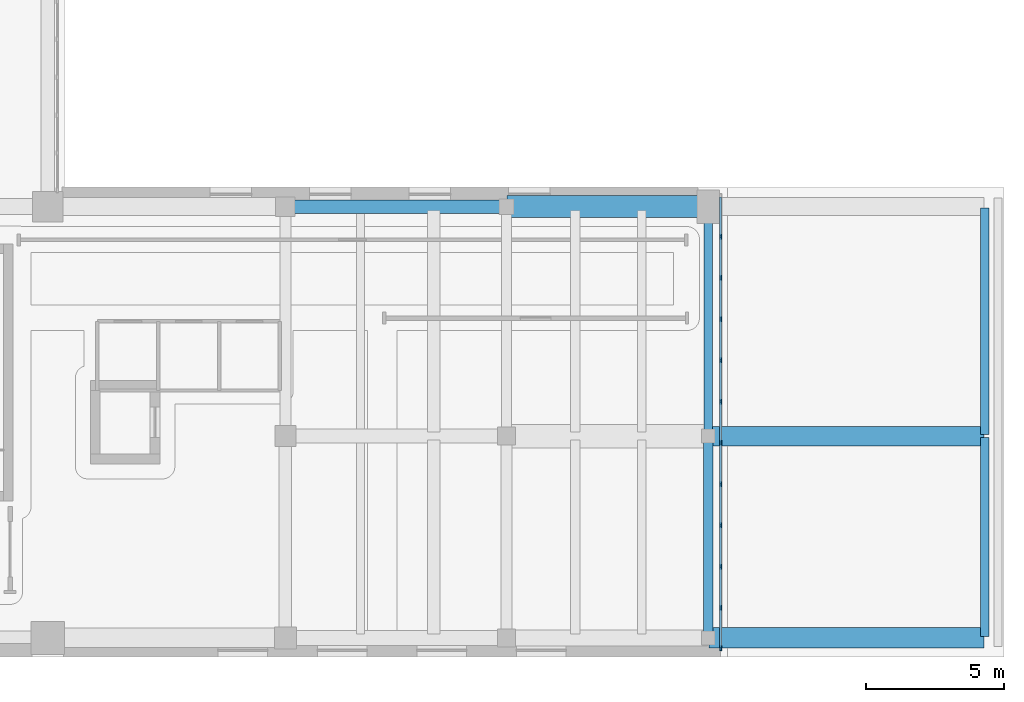
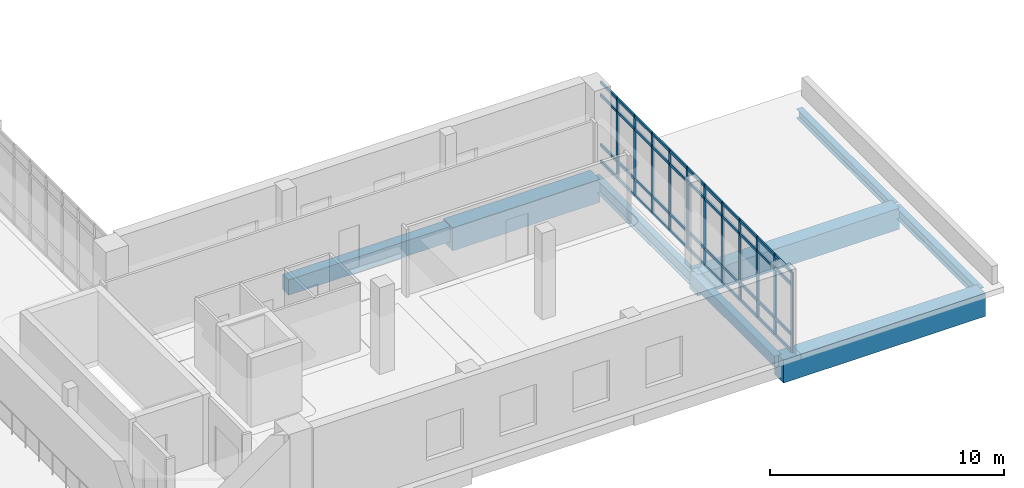
# One storey, part 32 of 75: 55 members, 8 beams, 1 element without a shape of its own.
"""IFC4 building model written with IfcOpenShell, lengths in metres."""

from ifc_helpers import new_model, si_unit, direction, frame, origin, origin_2d, place, context, subcontext, project, spatial, rectangle, i_section, extrude, material, material_profile, profile_set, type_object, element, aggregate, save


model = new_model("IFC4")

# Units and contexts
model_context = context("Model", 3, precision=1e-05, world=origin(), true_north=direction((0.0, 1.0)))
body_context = subcontext(model_context, "Body", "Model", "MODEL_VIEW")
ifc_project = project(units=[si_unit("LENGTHUNIT", "METRE"), si_unit("AREAUNIT", "SQUARE_METRE"), si_unit("VOLUMEUNIT", "CUBIC_METRE"), si_unit("PLANEANGLEUNIT", "RADIAN"), si_unit("MASSUNIT", "GRAM", prefix="KILO")], contexts=[model_context])

# Site, building, storey
site_placement = place(None, origin())
site = spatial("IfcSite", under=ifc_project, at=site_placement, CompositionType="ELEMENT")
building_placement = place(site_placement, origin())
building = spatial("IfcBuilding", under=site, at=building_placement, Name="Soyqirgoq Riverine Aquarium", CompositionType="ELEMENT")
storey_placement = place(building_placement, frame((0.0, 0.0, 10.199951171875)))
storey = spatial("IfcBuildingStorey", under=building, at=storey_placement, Name="L03", CompositionType="ELEMENT", Elevation=10.199951171875)

# Curtain wall, members
ifc_material_1 = material(Name="Anodised aluminium thermally broken gallery curtain wall", Category="aluminium")
curtain_wall_type = type_object("IfcCurtainWallType", Name="CW_Pavilion_Ribbon", PredefinedType="NOTDEFINED", material=ifc_material_1)
curtain_wall_placement = place(storey_placement, origin())
curtain_wall = element("IfcCurtainWall", 1, at=curtain_wall_placement, inside=storey, type_object=curtain_wall_type, Name="V6 L03 Curtain Wall 120", PredefinedType="NOTDEFINED")
ifc_material_2 = material(Name="Anodised aluminium 6063-T6", Category="aluminium")
ifc_material_profile_1 = material_profile(ifc_material_2, rectangle(XDim=0.06494140625, YDim=0.179931640625, at=origin_2d()), Name="ALU-M 65x180")
ifc_profile_set_1 = profile_set([ifc_material_profile_1], Name="Anodised aluminium 6063-T6")
member_type_1 = type_object("IfcMemberType", Name="CWMullion_65x180", PredefinedType="MULLION", material=ifc_profile_set_1)
member_1_placement = place(storey_placement, frame((153.75, 16.71728515625, 0.0), z_axis=(0.0, 0.0, 1.0), x_axis=(1.0, 0.0, 0.0)))
member_1 = element("IfcMember", 2, at=member_1_placement, type_object=member_type_1, Name="CW-05 mullion 2", PredefinedType="MULLION", context=body_context, shape_type="SweptSolid", body=[
    extrude(rectangle(XDim=0.06494140625, YDim=0.179931640625, at=origin_2d()), origin(), (0.0, 0.0, 1.0), 4.18994140625),
])
member_2_placement = place(storey_placement, frame((153.75, 15.224609375, 0.0), z_axis=(0.0, 0.0, 1.0), x_axis=(1.0, 0.0, 0.0)))
member_2 = element("IfcMember", 3, at=member_2_placement, type_object=member_type_1, Name="CW-05 mullion 3", PredefinedType="MULLION", context=body_context, shape_type="SweptSolid", body=[
    extrude(rectangle(XDim=0.06494140625, YDim=0.179931640625, at=origin_2d()), origin(), (0.0, 0.0, 1.0), 4.18994140625),
])
member_3_placement = place(storey_placement, frame((153.75, 13.73193359375, 0.0), z_axis=(0.0, 0.0, 1.0), x_axis=(1.0, 0.0, 0.0)))
member_3 = element("IfcMember", 4, at=member_3_placement, type_object=member_type_1, Name="CW-05 mullion 4", PredefinedType="MULLION", context=body_context, shape_type="SweptSolid", body=[
    extrude(rectangle(XDim=0.06494140625, YDim=0.179931640625, at=origin_2d()), origin(), (0.0, 0.0, 1.0), 4.18994140625),
])
member_4_placement = place(storey_placement, frame((153.75, 12.239013671875, 0.0), z_axis=(0.0, 0.0, 1.0), x_axis=(1.0, 0.0, 0.0)))
member_4 = element("IfcMember", 5, at=member_4_placement, type_object=member_type_1, Name="CW-05 mullion 5", PredefinedType="MULLION", context=body_context, shape_type="SweptSolid", body=[
    extrude(rectangle(XDim=0.06494140625, YDim=0.179931640625, at=origin_2d()), origin(), (0.0, 0.0, 1.0), 4.18994140625),
])
member_5_placement = place(storey_placement, frame((153.75, 10.746337890625, 0.0), z_axis=(0.0, 0.0, 1.0), x_axis=(1.0, 0.0, 0.0)))
member_5 = element("IfcMember", 6, at=member_5_placement, type_object=member_type_1, Name="CW-05 mullion 6", PredefinedType="MULLION", context=body_context, shape_type="SweptSolid", body=[
    extrude(rectangle(XDim=0.06494140625, YDim=0.179931640625, at=origin_2d()), origin(), (0.0, 0.0, 1.0), 4.18994140625),
])
member_6_placement = place(storey_placement, frame((153.75, 9.253662109375, 0.0), z_axis=(0.0, 0.0, 1.0), x_axis=(1.0, 0.0, 0.0)))
member_6 = element("IfcMember", 7, at=member_6_placement, type_object=member_type_1, Name="CW-05 mullion 7", PredefinedType="MULLION", context=body_context, shape_type="SweptSolid", body=[
    extrude(rectangle(XDim=0.06494140625, YDim=0.179931640625, at=origin_2d()), origin(), (0.0, 0.0, 1.0), 4.18994140625),
])
member_7_placement = place(storey_placement, frame((153.75, 7.760986328125, 0.0), z_axis=(0.0, 0.0, 1.0), x_axis=(1.0, 0.0, 0.0)))
member_7 = element("IfcMember", 8, at=member_7_placement, type_object=member_type_1, Name="CW-05 mullion 8", PredefinedType="MULLION", context=body_context, shape_type="SweptSolid", body=[
    extrude(rectangle(XDim=0.06494140625, YDim=0.179931640625, at=origin_2d()), origin(), (0.0, 0.0, 1.0), 4.18994140625),
])
member_8_placement = place(storey_placement, frame((153.75, 6.26806640625, 0.0), z_axis=(0.0, 0.0, 1.0), x_axis=(1.0, 0.0, 0.0)))
member_8 = element("IfcMember", 9, at=member_8_placement, type_object=member_type_1, Name="CW-05 mullion 9", PredefinedType="MULLION", context=body_context, shape_type="SweptSolid", body=[
    extrude(rectangle(XDim=0.06494140625, YDim=0.179931640625, at=origin_2d()), origin(), (0.0, 0.0, 1.0), 4.18994140625),
])
member_9_placement = place(storey_placement, frame((153.75, 4.775390625, 0.0), z_axis=(0.0, 0.0, 1.0), x_axis=(1.0, 0.0, 0.0)))
member_9 = element("IfcMember", 10, at=member_9_placement, type_object=member_type_1, Name="CW-05 mullion 10", PredefinedType="MULLION", context=body_context, shape_type="SweptSolid", body=[
    extrude(rectangle(XDim=0.06494140625, YDim=0.179931640625, at=origin_2d()), origin(), (0.0, 0.0, 1.0), 4.18994140625),
])
member_10_placement = place(storey_placement, frame((153.75, 3.28271484375, 0.0), z_axis=(0.0, 0.0, 1.0), x_axis=(1.0, 0.0, 0.0)))
member_10 = element("IfcMember", 11, at=member_10_placement, type_object=member_type_1, Name="CW-05 mullion 11", PredefinedType="MULLION", context=body_context, shape_type="SweptSolid", body=[
    extrude(rectangle(XDim=0.06494140625, YDim=0.179931640625, at=origin_2d()), origin(), (0.0, 0.0, 1.0), 4.18994140625),
])
member_11_placement = place(storey_placement, frame((153.75, 1.822509765625, 0.0), z_axis=(0.0, 0.0, 1.0), x_axis=(1.0, 0.0, 0.0)))
member_11 = element("IfcMember", 12, at=member_11_placement, type_object=member_type_1, Name="CW-05 mullion 12", PredefinedType="MULLION", context=body_context, shape_type="SweptSolid", body=[
    extrude(rectangle(XDim=0.06494140625, YDim=0.179931640625, at=origin_2d()), origin(), (0.0, 0.0, 1.0), 4.18994140625),
])
ifc_material_3 = material(Name="Anodised aluminium 6063-T6", Category="aluminium")
ifc_material_profile_2 = material_profile(ifc_material_3, rectangle(XDim=0.074951171875, YDim=0.14990234375, at=origin_2d()), Name="ALU-T 75x150")
ifc_profile_set_2 = profile_set([ifc_material_profile_2], Name="Anodised aluminium 6063-T6")
member_type_2 = type_object("IfcMemberType", Name="CWTransom_75x150", PredefinedType="USERDEFINED", material=ifc_profile_set_2)
member_12_placement = place(storey_placement, frame((153.75, 18.14501953125, 0.03759765625), z_axis=(0.0, -1.0, 0.0), x_axis=(1.0, 0.0, 0.0)))
member_12 = element("IfcMember", 13, at=member_12_placement, type_object=member_type_2, Name="CW-05 transom 1.1", ObjectType="TRANSOM", PredefinedType="USERDEFINED", context=body_context, shape_type="SweptSolid", body=[
    extrude(rectangle(XDim=0.074951171875, YDim=0.14990234375, at=origin_2d()), origin(), (0.0, 0.0, 1.0), 1.395263671875),
])
member_13_placement = place(storey_placement, frame((153.75, 18.14501953125, 0.900146484375), z_axis=(0.0, -1.0, 0.0), x_axis=(1.0, 0.0, 0.0)))
member_13 = element("IfcMember", 14, at=member_13_placement, type_object=member_type_2, Name="CW-05 transom 1.2", ObjectType="TRANSOM", PredefinedType="USERDEFINED", context=body_context, shape_type="SweptSolid", body=[
    extrude(rectangle(XDim=0.074951171875, YDim=0.14990234375, at=origin_2d()), origin(), (0.0, 0.0, 1.0), 1.395263671875),
])
member_14_placement = place(storey_placement, frame((153.75, 18.14501953125, 3.489990234375), z_axis=(0.0, -1.0, 0.0), x_axis=(1.0, 0.0, 0.0)))
member_14 = element("IfcMember", 15, at=member_14_placement, type_object=member_type_2, Name="CW-05 transom 1.3", ObjectType="TRANSOM", PredefinedType="USERDEFINED", context=body_context, shape_type="SweptSolid", body=[
    extrude(rectangle(XDim=0.074951171875, YDim=0.14990234375, at=origin_2d()), origin(), (0.0, 0.0, 1.0), 1.395263671875),
])
member_15_placement = place(storey_placement, frame((153.75, 18.14501953125, 4.152587890625), z_axis=(0.0, -1.0, 0.0), x_axis=(1.0, 0.0, 0.0)))
member_15 = element("IfcMember", 16, at=member_15_placement, type_object=member_type_2, Name="CW-05 transom 1.4", ObjectType="TRANSOM", PredefinedType="USERDEFINED", context=body_context, shape_type="SweptSolid", body=[
    extrude(rectangle(XDim=0.074951171875, YDim=0.14990234375, at=origin_2d()), origin(), (0.0, 0.0, 1.0), 1.395263671875),
])
member_16_placement = place(storey_placement, frame((153.75, 16.684814453125, 0.03759765625), z_axis=(0.0, -1.0, 0.0), x_axis=(1.0, 0.0, 0.0)))
member_16 = element("IfcMember", 17, at=member_16_placement, type_object=member_type_2, Name="CW-05 transom 2.1", ObjectType="TRANSOM", PredefinedType="USERDEFINED", context=body_context, shape_type="SweptSolid", body=[
    extrude(rectangle(XDim=0.074951171875, YDim=0.14990234375, at=origin_2d()), origin(), (0.0, 0.0, 1.0), 1.427734375),
])
member_17_placement = place(storey_placement, frame((153.75, 16.684814453125, 0.900146484375), z_axis=(0.0, -1.0, 0.0), x_axis=(1.0, 0.0, 0.0)))
member_17 = element("IfcMember", 18, at=member_17_placement, type_object=member_type_2, Name="CW-05 transom 2.2", ObjectType="TRANSOM", PredefinedType="USERDEFINED", context=body_context, shape_type="SweptSolid", body=[
    extrude(rectangle(XDim=0.074951171875, YDim=0.14990234375, at=origin_2d()), origin(), (0.0, 0.0, 1.0), 1.427734375),
])
member_18_placement = place(storey_placement, frame((153.75, 16.684814453125, 3.489990234375), z_axis=(0.0, -1.0, 0.0), x_axis=(1.0, 0.0, 0.0)))
member_18 = element("IfcMember", 19, at=member_18_placement, type_object=member_type_2, Name="CW-05 transom 2.3", ObjectType="TRANSOM", PredefinedType="USERDEFINED", context=body_context, shape_type="SweptSolid", body=[
    extrude(rectangle(XDim=0.074951171875, YDim=0.14990234375, at=origin_2d()), origin(), (0.0, 0.0, 1.0), 1.427734375),
])
member_19_placement = place(storey_placement, frame((153.75, 16.684814453125, 4.152587890625), z_axis=(0.0, -1.0, 0.0), x_axis=(1.0, 0.0, 0.0)))
member_19 = element("IfcMember", 20, at=member_19_placement, type_object=member_type_2, Name="CW-05 transom 2.4", ObjectType="TRANSOM", PredefinedType="USERDEFINED", context=body_context, shape_type="SweptSolid", body=[
    extrude(rectangle(XDim=0.074951171875, YDim=0.14990234375, at=origin_2d()), origin(), (0.0, 0.0, 1.0), 1.427734375),
])
member_20_placement = place(storey_placement, frame((153.75, 15.192138671875, 0.03759765625), z_axis=(0.0, -1.0, 0.0), x_axis=(1.0, 0.0, 0.0)))
member_20 = element("IfcMember", 21, at=member_20_placement, type_object=member_type_2, Name="CW-05 transom 3.1", ObjectType="TRANSOM", PredefinedType="USERDEFINED", context=body_context, shape_type="SweptSolid", body=[
    extrude(rectangle(XDim=0.074951171875, YDim=0.14990234375, at=origin_2d()), origin(), (0.0, 0.0, 1.0), 1.427734375),
])
member_21_placement = place(storey_placement, frame((153.75, 15.192138671875, 0.900146484375), z_axis=(0.0, -1.0, 0.0), x_axis=(1.0, 0.0, 0.0)))
member_21 = element("IfcMember", 22, at=member_21_placement, type_object=member_type_2, Name="CW-05 transom 3.2", ObjectType="TRANSOM", PredefinedType="USERDEFINED", context=body_context, shape_type="SweptSolid", body=[
    extrude(rectangle(XDim=0.074951171875, YDim=0.14990234375, at=origin_2d()), origin(), (0.0, 0.0, 1.0), 1.427734375),
])
member_22_placement = place(storey_placement, frame((153.75, 15.192138671875, 3.489990234375), z_axis=(0.0, -1.0, 0.0), x_axis=(1.0, 0.0, 0.0)))
member_22 = element("IfcMember", 23, at=member_22_placement, type_object=member_type_2, Name="CW-05 transom 3.3", ObjectType="TRANSOM", PredefinedType="USERDEFINED", context=body_context, shape_type="SweptSolid", body=[
    extrude(rectangle(XDim=0.074951171875, YDim=0.14990234375, at=origin_2d()), origin(), (0.0, 0.0, 1.0), 1.427734375),
])
member_23_placement = place(storey_placement, frame((153.75, 15.192138671875, 4.152587890625), z_axis=(0.0, -1.0, 0.0), x_axis=(1.0, 0.0, 0.0)))
member_23 = element("IfcMember", 24, at=member_23_placement, type_object=member_type_2, Name="CW-05 transom 3.4", ObjectType="TRANSOM", PredefinedType="USERDEFINED", context=body_context, shape_type="SweptSolid", body=[
    extrude(rectangle(XDim=0.074951171875, YDim=0.14990234375, at=origin_2d()), origin(), (0.0, 0.0, 1.0), 1.427734375),
])
member_24_placement = place(storey_placement, frame((153.75, 13.69921875, 0.03759765625), z_axis=(0.0, -1.0, 0.0), x_axis=(1.0, 0.0, 0.0)))
member_24 = element("IfcMember", 25, at=member_24_placement, type_object=member_type_2, Name="CW-05 transom 4.1", ObjectType="TRANSOM", PredefinedType="USERDEFINED", context=body_context, shape_type="SweptSolid", body=[
    extrude(rectangle(XDim=0.074951171875, YDim=0.14990234375, at=origin_2d()), origin(), (0.0, 0.0, 1.0), 1.427734375),
])
member_25_placement = place(storey_placement, frame((153.75, 13.69921875, 0.900146484375), z_axis=(0.0, -1.0, 0.0), x_axis=(1.0, 0.0, 0.0)))
member_25 = element("IfcMember", 26, at=member_25_placement, type_object=member_type_2, Name="CW-05 transom 4.2", ObjectType="TRANSOM", PredefinedType="USERDEFINED", context=body_context, shape_type="SweptSolid", body=[
    extrude(rectangle(XDim=0.074951171875, YDim=0.14990234375, at=origin_2d()), origin(), (0.0, 0.0, 1.0), 1.427734375),
])
member_26_placement = place(storey_placement, frame((153.75, 13.69921875, 3.489990234375), z_axis=(0.0, -1.0, 0.0), x_axis=(1.0, 0.0, 0.0)))
member_26 = element("IfcMember", 27, at=member_26_placement, type_object=member_type_2, Name="CW-05 transom 4.3", ObjectType="TRANSOM", PredefinedType="USERDEFINED", context=body_context, shape_type="SweptSolid", body=[
    extrude(rectangle(XDim=0.074951171875, YDim=0.14990234375, at=origin_2d()), origin(), (0.0, 0.0, 1.0), 1.427734375),
])
member_27_placement = place(storey_placement, frame((153.75, 13.69921875, 4.152587890625), z_axis=(0.0, -1.0, 0.0), x_axis=(1.0, 0.0, 0.0)))
member_27 = element("IfcMember", 28, at=member_27_placement, type_object=member_type_2, Name="CW-05 transom 4.4", ObjectType="TRANSOM", PredefinedType="USERDEFINED", context=body_context, shape_type="SweptSolid", body=[
    extrude(rectangle(XDim=0.074951171875, YDim=0.14990234375, at=origin_2d()), origin(), (0.0, 0.0, 1.0), 1.427734375),
])
member_28_placement = place(storey_placement, frame((153.75, 12.20654296875, 0.03759765625), z_axis=(0.0, -1.0, 0.0), x_axis=(1.0, 0.0, 0.0)))
member_28 = element("IfcMember", 29, at=member_28_placement, type_object=member_type_2, Name="CW-05 transom 5.1", ObjectType="TRANSOM", PredefinedType="USERDEFINED", context=body_context, shape_type="SweptSolid", body=[
    extrude(rectangle(XDim=0.074951171875, YDim=0.14990234375, at=origin_2d()), origin(), (0.0, 0.0, 1.0), 1.427734375),
])
member_29_placement = place(storey_placement, frame((153.75, 12.20654296875, 0.900146484375), z_axis=(0.0, -1.0, 0.0), x_axis=(1.0, 0.0, 0.0)))
member_29 = element("IfcMember", 30, at=member_29_placement, type_object=member_type_2, Name="CW-05 transom 5.2", ObjectType="TRANSOM", PredefinedType="USERDEFINED", context=body_context, shape_type="SweptSolid", body=[
    extrude(rectangle(XDim=0.074951171875, YDim=0.14990234375, at=origin_2d()), origin(), (0.0, 0.0, 1.0), 1.427734375),
])
member_30_placement = place(storey_placement, frame((153.75, 12.20654296875, 3.489990234375), z_axis=(0.0, -1.0, 0.0), x_axis=(1.0, 0.0, 0.0)))
member_30 = element("IfcMember", 31, at=member_30_placement, type_object=member_type_2, Name="CW-05 transom 5.3", ObjectType="TRANSOM", PredefinedType="USERDEFINED", context=body_context, shape_type="SweptSolid", body=[
    extrude(rectangle(XDim=0.074951171875, YDim=0.14990234375, at=origin_2d()), origin(), (0.0, 0.0, 1.0), 1.427734375),
])
member_31_placement = place(storey_placement, frame((153.75, 12.20654296875, 4.152587890625), z_axis=(0.0, -1.0, 0.0), x_axis=(1.0, 0.0, 0.0)))
member_31 = element("IfcMember", 32, at=member_31_placement, type_object=member_type_2, Name="CW-05 transom 5.4", ObjectType="TRANSOM", PredefinedType="USERDEFINED", context=body_context, shape_type="SweptSolid", body=[
    extrude(rectangle(XDim=0.074951171875, YDim=0.14990234375, at=origin_2d()), origin(), (0.0, 0.0, 1.0), 1.427734375),
])
member_32_placement = place(storey_placement, frame((153.75, 10.7138671875, 0.03759765625), z_axis=(0.0, -1.0, 0.0), x_axis=(1.0, 0.0, 0.0)))
member_32 = element("IfcMember", 33, at=member_32_placement, type_object=member_type_2, Name="CW-05 transom 6.1", ObjectType="TRANSOM", PredefinedType="USERDEFINED", context=body_context, shape_type="SweptSolid", body=[
    extrude(rectangle(XDim=0.074951171875, YDim=0.14990234375, at=origin_2d()), origin(), (0.0, 0.0, 1.0), 1.427734375),
])
member_33_placement = place(storey_placement, frame((153.75, 10.7138671875, 0.900146484375), z_axis=(0.0, -1.0, 0.0), x_axis=(1.0, 0.0, 0.0)))
member_33 = element("IfcMember", 34, at=member_33_placement, type_object=member_type_2, Name="CW-05 transom 6.2", ObjectType="TRANSOM", PredefinedType="USERDEFINED", context=body_context, shape_type="SweptSolid", body=[
    extrude(rectangle(XDim=0.074951171875, YDim=0.14990234375, at=origin_2d()), origin(), (0.0, 0.0, 1.0), 1.427734375),
])
member_34_placement = place(storey_placement, frame((153.75, 10.7138671875, 3.489990234375), z_axis=(0.0, -1.0, 0.0), x_axis=(1.0, 0.0, 0.0)))
member_34 = element("IfcMember", 35, at=member_34_placement, type_object=member_type_2, Name="CW-05 transom 6.3", ObjectType="TRANSOM", PredefinedType="USERDEFINED", context=body_context, shape_type="SweptSolid", body=[
    extrude(rectangle(XDim=0.074951171875, YDim=0.14990234375, at=origin_2d()), origin(), (0.0, 0.0, 1.0), 1.427734375),
])
member_35_placement = place(storey_placement, frame((153.75, 10.7138671875, 4.152587890625), z_axis=(0.0, -1.0, 0.0), x_axis=(1.0, 0.0, 0.0)))
member_35 = element("IfcMember", 36, at=member_35_placement, type_object=member_type_2, Name="CW-05 transom 6.4", ObjectType="TRANSOM", PredefinedType="USERDEFINED", context=body_context, shape_type="SweptSolid", body=[
    extrude(rectangle(XDim=0.074951171875, YDim=0.14990234375, at=origin_2d()), origin(), (0.0, 0.0, 1.0), 1.427734375),
])
member_36_placement = place(storey_placement, frame((153.75, 9.22119140625, 0.03759765625), z_axis=(0.0, -1.0, 0.0), x_axis=(1.0, 0.0, 0.0)))
member_36 = element("IfcMember", 37, at=member_36_placement, type_object=member_type_2, Name="CW-05 transom 7.1", ObjectType="TRANSOM", PredefinedType="USERDEFINED", context=body_context, shape_type="SweptSolid", body=[
    extrude(rectangle(XDim=0.074951171875, YDim=0.14990234375, at=origin_2d()), origin(), (0.0, 0.0, 1.0), 1.427734375),
])
member_37_placement = place(storey_placement, frame((153.75, 9.22119140625, 0.900146484375), z_axis=(0.0, -1.0, 0.0), x_axis=(1.0, 0.0, 0.0)))
member_37 = element("IfcMember", 38, at=member_37_placement, type_object=member_type_2, Name="CW-05 transom 7.2", ObjectType="TRANSOM", PredefinedType="USERDEFINED", context=body_context, shape_type="SweptSolid", body=[
    extrude(rectangle(XDim=0.074951171875, YDim=0.14990234375, at=origin_2d()), origin(), (0.0, 0.0, 1.0), 1.427734375),
])
member_38_placement = place(storey_placement, frame((153.75, 9.22119140625, 3.489990234375), z_axis=(0.0, -1.0, 0.0), x_axis=(1.0, 0.0, 0.0)))
member_38 = element("IfcMember", 39, at=member_38_placement, type_object=member_type_2, Name="CW-05 transom 7.3", ObjectType="TRANSOM", PredefinedType="USERDEFINED", context=body_context, shape_type="SweptSolid", body=[
    extrude(rectangle(XDim=0.074951171875, YDim=0.14990234375, at=origin_2d()), origin(), (0.0, 0.0, 1.0), 1.427734375),
])
member_39_placement = place(storey_placement, frame((153.75, 9.22119140625, 4.152587890625), z_axis=(0.0, -1.0, 0.0), x_axis=(1.0, 0.0, 0.0)))
member_39 = element("IfcMember", 40, at=member_39_placement, type_object=member_type_2, Name="CW-05 transom 7.4", ObjectType="TRANSOM", PredefinedType="USERDEFINED", context=body_context, shape_type="SweptSolid", body=[
    extrude(rectangle(XDim=0.074951171875, YDim=0.14990234375, at=origin_2d()), origin(), (0.0, 0.0, 1.0), 1.427734375),
])
member_40_placement = place(storey_placement, frame((153.75, 7.728515625, 0.03759765625), z_axis=(0.0, -1.0, 0.0), x_axis=(1.0, 0.0, 0.0)))
member_40 = element("IfcMember", 41, at=member_40_placement, type_object=member_type_2, Name="CW-05 transom 8.1", ObjectType="TRANSOM", PredefinedType="USERDEFINED", context=body_context, shape_type="SweptSolid", body=[
    extrude(rectangle(XDim=0.074951171875, YDim=0.14990234375, at=origin_2d()), origin(), (0.0, 0.0, 1.0), 1.427734375),
])
member_41_placement = place(storey_placement, frame((153.75, 7.728515625, 0.900146484375), z_axis=(0.0, -1.0, 0.0), x_axis=(1.0, 0.0, 0.0)))
member_41 = element("IfcMember", 42, at=member_41_placement, type_object=member_type_2, Name="CW-05 transom 8.2", ObjectType="TRANSOM", PredefinedType="USERDEFINED", context=body_context, shape_type="SweptSolid", body=[
    extrude(rectangle(XDim=0.074951171875, YDim=0.14990234375, at=origin_2d()), origin(), (0.0, 0.0, 1.0), 1.427734375),
])
member_42_placement = place(storey_placement, frame((153.75, 7.728515625, 3.489990234375), z_axis=(0.0, -1.0, 0.0), x_axis=(1.0, 0.0, 0.0)))
member_42 = element("IfcMember", 43, at=member_42_placement, type_object=member_type_2, Name="CW-05 transom 8.3", ObjectType="TRANSOM", PredefinedType="USERDEFINED", context=body_context, shape_type="SweptSolid", body=[
    extrude(rectangle(XDim=0.074951171875, YDim=0.14990234375, at=origin_2d()), origin(), (0.0, 0.0, 1.0), 1.427734375),
])
member_43_placement = place(storey_placement, frame((153.75, 7.728515625, 4.152587890625), z_axis=(0.0, -1.0, 0.0), x_axis=(1.0, 0.0, 0.0)))
member_43 = element("IfcMember", 44, at=member_43_placement, type_object=member_type_2, Name="CW-05 transom 8.4", ObjectType="TRANSOM", PredefinedType="USERDEFINED", context=body_context, shape_type="SweptSolid", body=[
    extrude(rectangle(XDim=0.074951171875, YDim=0.14990234375, at=origin_2d()), origin(), (0.0, 0.0, 1.0), 1.427734375),
])
member_44_placement = place(storey_placement, frame((153.75, 6.235595703125, 0.03759765625), z_axis=(0.0, -1.0, 0.0), x_axis=(1.0, 0.0, 0.0)))
member_44 = element("IfcMember", 45, at=member_44_placement, type_object=member_type_2, Name="CW-05 transom 9.1", ObjectType="TRANSOM", PredefinedType="USERDEFINED", context=body_context, shape_type="SweptSolid", body=[
    extrude(rectangle(XDim=0.074951171875, YDim=0.14990234375, at=origin_2d()), origin(), (0.0, 0.0, 1.0), 1.427734375),
])
member_45_placement = place(storey_placement, frame((153.75, 6.235595703125, 0.900146484375), z_axis=(0.0, -1.0, 0.0), x_axis=(1.0, 0.0, 0.0)))
member_45 = element("IfcMember", 46, at=member_45_placement, type_object=member_type_2, Name="CW-05 transom 9.2", ObjectType="TRANSOM", PredefinedType="USERDEFINED", context=body_context, shape_type="SweptSolid", body=[
    extrude(rectangle(XDim=0.074951171875, YDim=0.14990234375, at=origin_2d()), origin(), (0.0, 0.0, 1.0), 1.427734375),
])
member_46_placement = place(storey_placement, frame((153.75, 6.235595703125, 3.489990234375), z_axis=(0.0, -1.0, 0.0), x_axis=(1.0, 0.0, 0.0)))
member_46 = element("IfcMember", 47, at=member_46_placement, type_object=member_type_2, Name="CW-05 transom 9.3", ObjectType="TRANSOM", PredefinedType="USERDEFINED", context=body_context, shape_type="SweptSolid", body=[
    extrude(rectangle(XDim=0.074951171875, YDim=0.14990234375, at=origin_2d()), origin(), (0.0, 0.0, 1.0), 1.427734375),
])
member_47_placement = place(storey_placement, frame((153.75, 6.235595703125, 4.152587890625), z_axis=(0.0, -1.0, 0.0), x_axis=(1.0, 0.0, 0.0)))
member_47 = element("IfcMember", 48, at=member_47_placement, type_object=member_type_2, Name="CW-05 transom 9.4", ObjectType="TRANSOM", PredefinedType="USERDEFINED", context=body_context, shape_type="SweptSolid", body=[
    extrude(rectangle(XDim=0.074951171875, YDim=0.14990234375, at=origin_2d()), origin(), (0.0, 0.0, 1.0), 1.427734375),
])
member_48_placement = place(storey_placement, frame((153.75, 4.742919921875, 0.03759765625), z_axis=(0.0, -1.0, 0.0), x_axis=(1.0, 0.0, 0.0)))
member_48 = element("IfcMember", 49, at=member_48_placement, type_object=member_type_2, Name="CW-05 transom 10.1", ObjectType="TRANSOM", PredefinedType="USERDEFINED", context=body_context, shape_type="SweptSolid", body=[
    extrude(rectangle(XDim=0.074951171875, YDim=0.14990234375, at=origin_2d()), origin(), (0.0, 0.0, 1.0), 1.427734375),
])
member_49_placement = place(storey_placement, frame((153.75, 4.742919921875, 0.900146484375), z_axis=(0.0, -1.0, 0.0), x_axis=(1.0, 0.0, 0.0)))
member_49 = element("IfcMember", 50, at=member_49_placement, type_object=member_type_2, Name="CW-05 transom 10.2", ObjectType="TRANSOM", PredefinedType="USERDEFINED", context=body_context, shape_type="SweptSolid", body=[
    extrude(rectangle(XDim=0.074951171875, YDim=0.14990234375, at=origin_2d()), origin(), (0.0, 0.0, 1.0), 1.427734375),
])
member_50_placement = place(storey_placement, frame((153.75, 4.742919921875, 3.489990234375), z_axis=(0.0, -1.0, 0.0), x_axis=(1.0, 0.0, 0.0)))
member_50 = element("IfcMember", 51, at=member_50_placement, type_object=member_type_2, Name="CW-05 transom 10.3", ObjectType="TRANSOM", PredefinedType="USERDEFINED", context=body_context, shape_type="SweptSolid", body=[
    extrude(rectangle(XDim=0.074951171875, YDim=0.14990234375, at=origin_2d()), origin(), (0.0, 0.0, 1.0), 1.427734375),
])
member_51_placement = place(storey_placement, frame((153.75, 4.742919921875, 4.152587890625), z_axis=(0.0, -1.0, 0.0), x_axis=(1.0, 0.0, 0.0)))
member_51 = element("IfcMember", 52, at=member_51_placement, type_object=member_type_2, Name="CW-05 transom 10.4", ObjectType="TRANSOM", PredefinedType="USERDEFINED", context=body_context, shape_type="SweptSolid", body=[
    extrude(rectangle(XDim=0.074951171875, YDim=0.14990234375, at=origin_2d()), origin(), (0.0, 0.0, 1.0), 1.427734375),
])
member_52_placement = place(storey_placement, frame((153.75, 3.250244140625, 0.03759765625), z_axis=(0.0, -1.0, 0.0), x_axis=(1.0, 0.0, 0.0)))
member_52 = element("IfcMember", 53, at=member_52_placement, type_object=member_type_2, Name="CW-05 transom 11.1", ObjectType="TRANSOM", PredefinedType="USERDEFINED", context=body_context, shape_type="SweptSolid", body=[
    extrude(rectangle(XDim=0.074951171875, YDim=0.14990234375, at=origin_2d()), origin(), (0.0, 0.0, 1.0), 1.395263671875),
])
member_53_placement = place(storey_placement, frame((153.75, 3.250244140625, 0.900146484375), z_axis=(0.0, -1.0, 0.0), x_axis=(1.0, 0.0, 0.0)))
member_53 = element("IfcMember", 54, at=member_53_placement, type_object=member_type_2, Name="CW-05 transom 11.2", ObjectType="TRANSOM", PredefinedType="USERDEFINED", context=body_context, shape_type="SweptSolid", body=[
    extrude(rectangle(XDim=0.074951171875, YDim=0.14990234375, at=origin_2d()), origin(), (0.0, 0.0, 1.0), 1.395263671875),
])
member_54_placement = place(storey_placement, frame((153.75, 3.250244140625, 3.489990234375), z_axis=(0.0, -1.0, 0.0), x_axis=(1.0, 0.0, 0.0)))
member_54 = element("IfcMember", 55, at=member_54_placement, type_object=member_type_2, Name="CW-05 transom 11.3", ObjectType="TRANSOM", PredefinedType="USERDEFINED", context=body_context, shape_type="SweptSolid", body=[
    extrude(rectangle(XDim=0.074951171875, YDim=0.14990234375, at=origin_2d()), origin(), (0.0, 0.0, 1.0), 1.395263671875),
])
member_55_placement = place(storey_placement, frame((153.75, 3.250244140625, 4.152587890625), z_axis=(0.0, -1.0, 0.0), x_axis=(1.0, 0.0, 0.0)))
member_55 = element("IfcMember", 56, at=member_55_placement, type_object=member_type_2, Name="CW-05 transom 11.4", ObjectType="TRANSOM", PredefinedType="USERDEFINED", context=body_context, shape_type="SweptSolid", body=[
    extrude(rectangle(XDim=0.074951171875, YDim=0.14990234375, at=origin_2d()), origin(), (0.0, 0.0, 1.0), 1.395263671875),
])
aggregate(curtain_wall, [member_1, member_2, member_3, member_4, member_5, member_6, member_7, member_8, member_9, member_10, member_11, member_12, member_13, member_14, member_15, member_16, member_17, member_18, member_19, member_20, member_21, member_22, member_23, member_24, member_25, member_26, member_27, member_28, member_29, member_30, member_31, member_32, member_33, member_34, member_35, member_36, member_37, member_38, member_39, member_40, member_41, member_42, member_43, member_44, member_45, member_46, member_47, member_48, member_49, member_50, member_51, member_52, member_53, member_54, member_55])

# Beams
ifc_material_4 = material(Name="Concrete C40/50", Category="concrete")
ifc_material_profile_3 = material_profile(ifc_material_4, rectangle(XDim=0.5, YDim=0.800048828125, at=origin_2d()), Name="RC 500x800")
ifc_profile_set_3 = profile_set([ifc_material_profile_3], Name="Concrete C40/50")
beam_type_1 = type_object("IfcBeamType", Name="Girder_RC_500x800", PredefinedType="BEAM", material=ifc_profile_set_3)
beam_1_placement = place(storey_placement, frame((138.02001953125, 17.800048828125, -0.679931640625), z_axis=(1.0, 0.0, 0.0), x_axis=(0.0, 1.0, 0.0)))
element("IfcBeam", 57, at=beam_1_placement, inside=storey, type_object=beam_type_1, Name="V6 L03 East-West Frame Girder 1184", PredefinedType="BEAM", context=body_context, shape_type="SweptSolid", body=[
    extrude(rectangle(XDim=0.5, YDim=0.800048828125, at=origin_2d()), origin(), (0.0, 0.0, 1.0), 7.9599609375),
])
ifc_material_5 = material(Name="Concrete C40/50", Category="concrete")
ifc_material_profile_4 = material_profile(ifc_material_5, rectangle(XDim=0.699951171875, YDim=1.10009765625, at=origin_2d()), Name="RC 700x1100")
ifc_profile_set_4 = profile_set([ifc_material_profile_4], Name="Concrete C40/50")
beam_type_2 = type_object("IfcBeamType", Name="Girder_RC_700x1100", PredefinedType="BEAM", material=ifc_profile_set_4)
beam_2_placement = place(storey_placement, frame((153.320068359375, 9.5, -0.829833984375), z_axis=(1.0, 0.0, 0.0), x_axis=(0.0, 1.0, 0.0)))
element("IfcBeam", 58, at=beam_2_placement, inside=storey, type_object=beam_type_2, Name="V6 L03 East-West Frame Girder 1193", PredefinedType="BEAM", context=body_context, shape_type="SweptSolid", body=[
    extrude(rectangle(XDim=0.699951171875, YDim=1.10009765625, at=origin_2d()), origin(), (0.0, 0.0, 1.0), 9.9599609375),
])
ifc_material_6 = material(Name="Concrete C40/50", Category="concrete")
ifc_material_profile_5 = material_profile(ifc_material_6, rectangle(XDim=0.75, YDim=1.199951171875, at=origin_2d()), Name="RC 750x1200")
ifc_profile_set_5 = profile_set([ifc_material_profile_5], Name="Concrete C40/50")
beam_type_3 = type_object("IfcBeamType", Name="Girder_RC_750x1200", PredefinedType="BEAM", material=ifc_profile_set_5)
beam_3_placement = place(storey_placement, frame((153.320068359375, 2.199951171875, -0.8798828125), z_axis=(1.0, 0.0, 0.0), x_axis=(0.0, 1.0, 0.0)))
element("IfcBeam", 59, at=beam_3_placement, inside=storey, type_object=beam_type_3, Name="V6 L03 East-West Frame Girder 1191", PredefinedType="BEAM", context=body_context, shape_type="SweptSolid", body=[
    extrude(rectangle(XDim=0.75, YDim=1.199951171875, at=origin_2d()), origin(), (0.0, 0.0, 1.0), 9.9599609375),
])
ifc_material_7 = material(Name="Concrete C40/50", Category="concrete")
ifc_material_profile_6 = material_profile(ifc_material_7, rectangle(XDim=0.800048828125, YDim=1.199951171875, at=origin_2d()), Name="RC 800x1200")
ifc_profile_set_6 = profile_set([ifc_material_profile_6], Name="Concrete C40/50")
beam_type_4 = type_object("IfcBeamType", Name="Girder_RC_800x1200", PredefinedType="BEAM", material=ifc_profile_set_6)
beam_4_placement = place(storey_placement, frame((146.02001953125, 17.800048828125, -0.8798828125), z_axis=(1.0, 0.0, 0.0), x_axis=(0.0, 1.0, 0.0)))
element("IfcBeam", 60, at=beam_4_placement, inside=storey, type_object=beam_type_4, Name="V6 L03 East-West Frame Girder 1189", PredefinedType="BEAM", context=body_context, shape_type="SweptSolid", body=[
    extrude(rectangle(XDim=0.800048828125, YDim=1.199951171875, at=origin_2d()), origin(), (0.0, 0.0, 1.0), 7.260009765625),
])
ifc_material_8 = material(Name="Structural steel S355", Category="steel")
ifc_material_profile_7 = material_profile(ifc_material_8, i_section(OverallWidth=0.300048828125, OverallDepth=0.489990234375, WebThickness=0.011962890625, FlangeThickness=0.02294921875, FilletRadius=0.027099609375, at=origin_2d()), Name="HEA 500")
ifc_profile_set_7 = profile_set([ifc_material_profile_7], Name="Structural steel S355")
beam_type_5 = type_object("IfcBeamType", Name="SteelBeam_HEA500", PredefinedType="BEAM", material=ifc_profile_set_7)
beam_5_placement = place(storey_placement, frame((163.300048828125, 9.550048828125, -0.52490234375), z_axis=(0.0, 1.0, 0.0), x_axis=(-1.0, 0.0, 0.0)))
element("IfcBeam", 61, at=beam_5_placement, inside=storey, type_object=beam_type_5, Name="V6 L03 North-South Frame Beam 1196", PredefinedType="BEAM", context=body_context, shape_type="SweptSolid", body=[
    extrude(i_section(OverallWidth=0.300048828125, OverallDepth=0.489990234375, WebThickness=0.011962890625, FlangeThickness=0.02294921875, FilletRadius=0.027099609375, at=origin_2d()), origin(), (0.0, 0.0, 1.0), 8.199951171875),
])
ifc_material_9 = material(Name="Structural steel S355", Category="steel")
ifc_material_profile_8 = material_profile(ifc_material_9, i_section(OverallWidth=0.300048828125, OverallDepth=0.5400390625, WebThickness=0.012451171875, FlangeThickness=0.02392578125, FilletRadius=0.027099609375, at=origin_2d()), Name="HEA 550")
ifc_profile_set_8 = profile_set([ifc_material_profile_8], Name="Structural steel S355")
beam_type_6 = type_object("IfcBeamType", Name="SteelBeam_HEA550", PredefinedType="BEAM", material=ifc_profile_set_8)
beam_6_placement = place(storey_placement, frame((163.300048828125, 2.25, -0.550048828125), z_axis=(0.0, 1.0, 0.0), x_axis=(-1.0, 0.0, 0.0)))
element("IfcBeam", 62, at=beam_6_placement, inside=storey, type_object=beam_type_6, Name="V6 L03 North-South Frame Beam 1195", PredefinedType="BEAM", context=body_context, shape_type="SweptSolid", body=[
    extrude(i_section(OverallWidth=0.300048828125, OverallDepth=0.5400390625, WebThickness=0.012451171875, FlangeThickness=0.02392578125, FilletRadius=0.027099609375, at=origin_2d()), origin(), (0.0, 0.0, 1.0), 7.199951171875),
])
ifc_material_10 = material(Name="Structural steel S355", Category="steel")
ifc_material_profile_9 = material_profile(ifc_material_10, i_section(OverallWidth=0.300048828125, OverallDepth=0.68994140625, WebThickness=0.014404296875, FlangeThickness=0.027099609375, FilletRadius=0.027099609375, at=origin_2d()), Name="HEA 700")
ifc_profile_set_9 = profile_set([ifc_material_profile_9], Name="Structural steel S355")
beam_type_7 = type_object("IfcBeamType", Name="SteelBeam_HEA700", PredefinedType="BEAM", material=ifc_profile_set_9)
beam_7_placement = place(storey_placement, frame((153.300048828125, 9.550048828125, -0.625), z_axis=(0.0, 1.0, 0.0), x_axis=(-1.0, 0.0, 0.0)))
element("IfcBeam", 63, at=beam_7_placement, inside=storey, type_object=beam_type_7, Name="V6 L03 North-South Frame Beam 1192", PredefinedType="BEAM", context=body_context, shape_type="SweptSolid", body=[
    extrude(i_section(OverallWidth=0.300048828125, OverallDepth=0.68994140625, WebThickness=0.014404296875, FlangeThickness=0.027099609375, FilletRadius=0.027099609375, at=origin_2d()), origin(), (0.0, 0.0, 1.0), 8.199951171875),
])
ifc_material_11 = material(Name="Concrete C40/50", Category="concrete")
ifc_material_profile_10 = material_profile(ifc_material_11, rectangle(XDim=0.35009765625, YDim=0.550048828125, at=origin_2d()), Name="RC 350x550")
ifc_profile_set_10 = profile_set([ifc_material_profile_10], Name="Concrete C40/50")
beam_type_8 = type_object("IfcBeamType", Name="TBeam_RC_350x550", PredefinedType="T_BEAM", material=ifc_profile_set_10)
beam_8_placement = place(storey_placement, frame((153.300048828125, 2.25, -0.554931640625), z_axis=(0.0, 1.0, 0.0), x_axis=(-1.0, 0.0, 0.0)))
element("IfcBeam", 64, at=beam_8_placement, inside=storey, type_object=beam_type_8, Name="V6 L03 North-South Frame Beam 1190", PredefinedType="T_BEAM", context=body_context, shape_type="SweptSolid", body=[
    extrude(rectangle(XDim=0.35009765625, YDim=0.550048828125, at=origin_2d()), origin(), (0.0, 0.0, 1.0), 7.199951171875),
])

save(model, "model.ifc")
